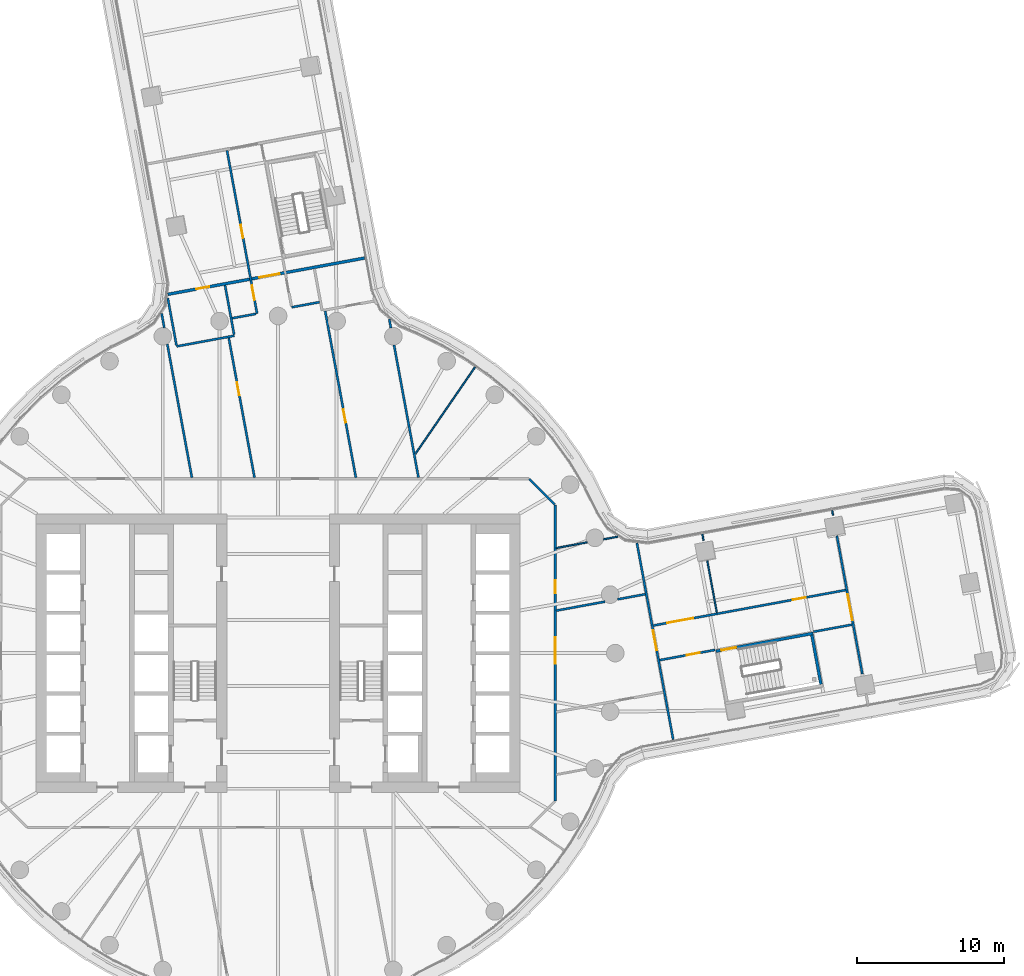
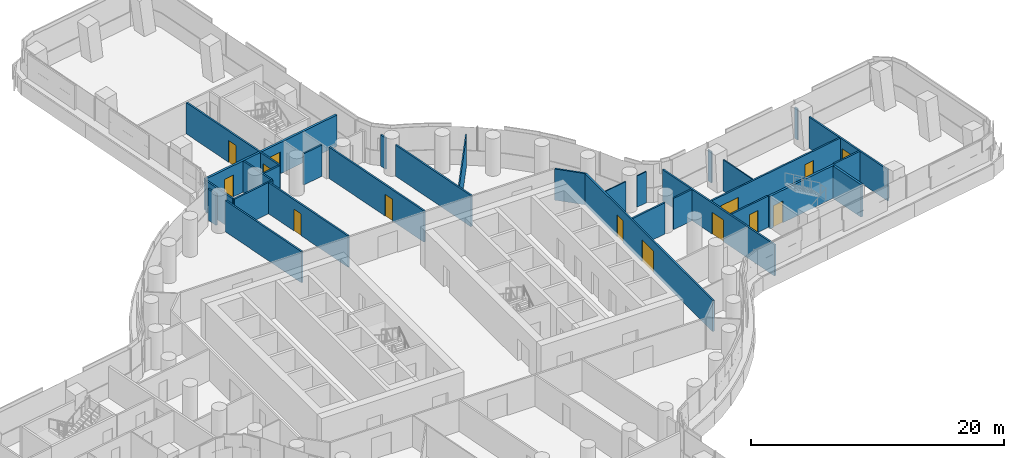
# One storey, part 23 of 33: 30 walls, 14 doors, 14 openings.
"""IFC4 building model written with IfcOpenShell, lengths in metres."""

from ifc_helpers import new_model, si_unit, direction, frame, frame_2d, origin, place, context, subcontext, project, spatial, polyline, rectangle, outline, extrude, material, layer, layer_set, type_object, element, fill, save


model = new_model("IFC4")

# Units and contexts
model_context = context("Model", 3, precision=1e-05, world=origin(), true_north=direction((0.0, 1.0)))
body_context = subcontext(model_context, "Body", "Model", "MODEL_VIEW")
ifc_project = project(units=[si_unit("LENGTHUNIT", "METRE"), si_unit("AREAUNIT", "SQUARE_METRE"), si_unit("VOLUMEUNIT", "CUBIC_METRE"), si_unit("PLANEANGLEUNIT", "RADIAN"), si_unit("MASSUNIT", "GRAM", prefix="KILO")], contexts=[model_context])

# Site, building, storey
site_placement = place(None, origin())
site = spatial("IfcSite", under=ifc_project, at=site_placement, CompositionType="ELEMENT")
building_placement = place(site_placement, origin())
building = spatial("IfcBuilding", under=site, at=building_placement, Name="Tamarind Cross Interchange Tower", CompositionType="ELEMENT")
storey_placement = place(building_placement, frame((0.0, 0.0, 71.5)))
storey = spatial("IfcBuildingStorey", under=building, at=storey_placement, Name="L16", CompositionType="ELEMENT", Elevation=71.5)

# Walls
ifc_material_1 = material(Name="Gypsum board partition on steel studs", Category="steel")
ifc_layer_1 = layer(ifc_material_1, 0.10009765625)
ifc_layer_set_1 = layer_set([ifc_layer_1], Name="Gypsum board partition on steel studs")
wall_type_1 = type_object("IfcWallType", Name="Partition 100 mm EI 90", PredefinedType="PARTITIONING", material=ifc_layer_set_1)
wall_1_placement = place(storey_placement, frame((28.943115234375, 8.1142578125, 0.0), z_axis=(0.0, 0.0, 1.0), x_axis=(0.181706497485, -0.983352809917, 0.0)))
element("IfcWall", 1, at=wall_1_placement, inside=storey, type_object=wall_type_1, Name="Partition L16-030", PredefinedType="PARTITIONING", context=body_context, shape_type="SweptSolid", body=[
    extrude(rectangle(XDim=0.43408203125, YDim=0.10009765625, at=frame_2d((0.217041015625, 0.0))), origin(), (0.0, 0.0, 1.0), 3.010009765625),
])
wall_2_placement = place(storey_placement, frame((29.278564453125, 6.296142578125, 0.0), z_axis=(0.0, 0.0, 1.0), x_axis=(0.181488912805, -0.983392990889, 0.0)))
element("IfcWall", 2, at=wall_2_placement, inside=storey, type_object=wall_type_1, Name="Partition L16-031", PredefinedType="PARTITIONING", context=body_context, shape_type="SweptSolid", body=[
    extrude(rectangle(XDim=3.59716796875, YDim=0.10009765625, at=frame_2d((1.798583984375, 0.0))), origin(), (0.0, 0.0, 1.0), 3.010009765625),
])
wall_3_placement = place(storey_placement, frame((37.796142578125, 9.735107421875, 0.0), z_axis=(0.0, 0.0, 1.0), x_axis=(0.181472778981, -0.98339596831, 0.0)))
element("IfcWall", 3, at=wall_3_placement, inside=storey, type_object=wall_type_1, Name="Partition L16-032", PredefinedType="PARTITIONING", context=body_context, shape_type="SweptSolid", body=[
    extrude(rectangle(XDim=0.34033203125, YDim=0.10009765625, at=frame_2d((0.170166015625, 0.0))), origin(), (0.0, 0.0, 1.0), 3.010009765625),
])
wall_4_placement = place(storey_placement, frame((18.96875, 7.168701171875, 0.0), z_axis=(0.0, 0.0, 1.0), x_axis=(0.983393076066, 0.181488451272, 0.0)))
element("IfcWall", 4, at=wall_4_placement, inside=storey, type_object=wall_type_1, Name="Partition L16-065", PredefinedType="PARTITIONING", context=body_context, shape_type="SweptSolid", body=[
    extrude(rectangle(XDim=2.153564453125, YDim=0.10009765625, at=frame_2d((1.07666015625, 0.0))), origin(), (0.0, 0.0, 1.0), 3.010009765625),
])
wall_5_placement = place(storey_placement, frame((22.195556640625, 7.76416015625, 0.0), z_axis=(0.0, 0.0, 1.0), x_axis=(0.983393015188, 0.181488781138, 0.0)))
element("IfcWall", 5, at=wall_5_placement, inside=storey, type_object=wall_type_1, Name="Partition L16-066", PredefinedType="PARTITIONING", context=body_context, shape_type="SweptSolid", body=[
    extrude(rectangle(XDim=0.989990234375, YDim=0.10009765625, at=frame_2d((0.4951171875, 0.0))), origin(), (0.0, 0.0, 1.0), 3.010009765625),
])
wall_6_placement = place(storey_placement, frame((9.371826171875, 13.610595703125, 0.0), z_axis=(0.0, 0.0, 1.0), x_axis=(0.567132866237, 0.823626318201, 0.0)))
element("IfcWall", 6, at=wall_6_placement, inside=storey, type_object=wall_type_1, Name="Partition L16-075", PredefinedType="PARTITIONING", context=body_context, shape_type="SweptSolid", body=[
    extrude(rectangle(XDim=7.151123046875, YDim=0.10009765625, at=frame_2d((3.57568359375, 0.0))), origin(), (0.0, 0.0, 1.0), 3.010009765625),
])
ifc_layer_2 = layer(ifc_material_1, 0.14990234375)
ifc_layer_set_2 = layer_set([ifc_layer_2], Name="Gypsum board partition on steel studs")
wall_type_2 = type_object("IfcWallType", Name="Partition 150 mm EI 120", PredefinedType="PARTITIONING", material=ifc_layer_set_2)
wall_7_placement = place(storey_placement, frame((-7.94384765625, 23.169189453125, 0.0), z_axis=(0.0, 0.0, 1.0), x_axis=(0.181250299278, -0.983436997988, 0.0)))
element("IfcWall", 7, at=wall_7_placement, inside=storey, type_object=wall_type_2, Name="Partition L16-010", PredefinedType="PARTITIONING", context=body_context, shape_type="SweptSolid", body=[
    extrude(rectangle(XDim=0.989990234375, YDim=0.14990234375, at=frame_2d((0.4951171875, 0.0))), origin(), (0.0, 0.0, 1.0), 3.010009765625),
])
wall_8_placement = place(storey_placement, frame((-7.559814453125, 21.086181640625, 0.0), z_axis=(0.0, 0.0, 1.0), x_axis=(0.181331997845, -0.983421937196, 0.0)))
element("IfcWall", 8, at=wall_8_placement, inside=storey, type_object=wall_type_2, Name="Partition L16-011", PredefinedType="PARTITIONING", context=body_context, shape_type="SweptSolid", body=[
    extrude(rectangle(XDim=9.271240234375, YDim=0.14990234375, at=frame_2d((4.6357421875, 0.0))), origin(), (0.0, 0.0, 1.0), 3.010009765625),
])
wall_9_placement = place(storey_placement, frame((-7.52587890625, 24.21337890625, 0.0), z_axis=(0.0, 0.0, 1.0), x_axis=(0.181327661457, -0.983422736767, 0.0)))
element("IfcWall", 9, at=wall_9_placement, inside=storey, type_object=wall_type_2, Name="Partition L16-012", PredefinedType="PARTITIONING", context=body_context, shape_type="SweptSolid", body=[
    extrude(rectangle(XDim=3.271728515625, YDim=0.14990234375, at=frame_2d((1.6357421875, 0.0))), origin(), (0.0, 0.0, 1.0), 3.010009765625),
])
wall_10_placement = place(storey_placement, frame((-3.620849609375, 25.0947265625, 0.0), z_axis=(0.0, 0.0, 1.0), x_axis=(0.181089958521, -0.983466535741, 0.0)))
element("IfcWall", 10, at=wall_10_placement, inside=storey, type_object=wall_type_2, Name="Partition L16-014", PredefinedType="PARTITIONING", context=body_context, shape_type="SweptSolid", body=[
    extrude(rectangle(XDim=3.4296875, YDim=0.14990234375, at=frame_2d((1.71484375, 0.0))), origin(), (0.0, 0.0, 1.0), 3.010009765625),
])

# Wall, openings, doors
wall_11_placement = place(storey_placement, frame((-3.4873046875, 34.296142578125, 0.0), z_axis=(0.0, 0.0, 1.0), x_axis=(0.181322644979, -0.983423661713, 0.0)))
wall_11 = element("IfcWall", 11, at=wall_11_placement, inside=storey, type_object=wall_type_2, Name="Partition L16-015", PredefinedType="PARTITIONING", context=body_context, shape_type="SweptSolid", body=[
    extrude(rectangle(XDim=11.324951171875, YDim=0.14990234375, at=frame_2d((5.66259765625, 0.0))), origin(), (0.0, 0.0, 1.0), 3.010009765625),
])
opening_1_placement = place(wall_11_placement, frame((9.375244140625, 0.0, 0.0)))
opening_1 = element("IfcOpeningElement", 12, at=opening_1_placement, cuts=wall_11, Name="Opening D04", PredefinedType="OPENING", context=body_context, shape_type="SweptSolid", body=[
    extrude(rectangle(XDim=1.0, YDim=2.10009765625, at=frame_2d((0.5, 1.050048828125))), frame((0.0, 0.0849609375, 0.0), z_axis=(0.0, -1.0, 0.0), x_axis=(1.0, 0.0, 0.0)), (0.0, 0.0, 1.0), 0.169921875),
])
opening_2_placement = place(wall_11_placement, frame((5.175048828125, 0.0, 0.0)))
opening_2 = element("IfcOpeningElement", 13, at=opening_2_placement, cuts=wall_11, Name="Opening D05", PredefinedType="OPENING", context=body_context, shape_type="SweptSolid", body=[
    extrude(rectangle(XDim=0.89990234375, YDim=2.10009765625, at=frame_2d((0.449951171875, 1.050048828125))), frame((0.0, 0.0849609375, 0.0), z_axis=(0.0, -1.0, 0.0), x_axis=(1.0, 0.0, 0.0)), (0.0, 0.0, 1.0), 0.169921875),
])
ifc_material_2 = material(Name="Fire-resisting door set")
door_type_1 = type_object("IfcDoorType", Name="Interior door 1000 x 2100 FD60S", OperationType="SINGLE_SWING_LEFT", PredefinedType="DOOR", material=ifc_material_2)
door_1_placement = place(opening_1_placement, frame((1.0, 0.0, 0.0), z_axis=(0.0, 0.0, 1.0), x_axis=(-1.0, 0.0, 0.0)))
door_1 = element("IfcDoor", 14, at=door_1_placement, inside=storey, type_object=door_type_1, Name="Door D04", OperationType="SINGLE_SWING_RIGHT", OverallHeight=2.10009765625, OverallWidth=1.0, PredefinedType="DOOR", context=body_context, shape_type="SweptSolid", body=[
    extrude(rectangle(XDim=1.0, YDim=2.10009765625, at=frame_2d((0.5, 1.050048828125))), frame((0.0, 0.02490234375, 0.0), z_axis=(0.0, -1.0, 0.0), x_axis=(1.0, 0.0, 0.0)), (0.0, 0.0, 1.0), 0.050048828125),
])
fill(opening_1, door_1)
door_type_2 = type_object("IfcDoorType", Name="Interior door 900 x 2100 FD60S", OperationType="SINGLE_SWING_LEFT", PredefinedType="DOOR", material=ifc_material_2)
door_2_placement = place(opening_2_placement, frame((0.89990234375, 0.0, 0.0), z_axis=(0.0, 0.0, 1.0), x_axis=(-1.0, 0.0, 0.0)))
door_2 = element("IfcDoor", 15, at=door_2_placement, inside=storey, type_object=door_type_2, Name="Door D05", OperationType="SINGLE_SWING_LEFT", OverallHeight=2.10009765625, OverallWidth=0.89990234375, PredefinedType="DOOR", context=body_context, shape_type="SweptSolid", body=[
    extrude(rectangle(XDim=0.89990234375, YDim=2.10009765625, at=frame_2d((0.449951171875, 1.050048828125))), frame((0.0, 0.02490234375, 0.0), z_axis=(0.0, -1.0, 0.0), x_axis=(1.0, 0.0, 0.0)), (0.0, 0.0, 1.0), 0.050048828125),
])
fill(opening_2, door_2)

# Wall, opening, door
wall_12_placement = place(storey_placement, frame((-3.366455078125, 21.506103515625, 0.0), z_axis=(0.0, 0.0, 1.0), x_axis=(0.181352722504, -0.983418115575, 0.0)))
wall_12 = element("IfcWall", 16, at=wall_12_placement, inside=storey, type_object=wall_type_2, Name="Partition L16-016", PredefinedType="PARTITIONING", context=body_context, shape_type="SweptSolid", body=[
    extrude(rectangle(XDim=9.6982421875, YDim=0.14990234375, at=frame_2d((4.84912109375, 0.0))), origin(), (0.0, 0.0, 1.0), 3.010009765625),
])
opening_3_placement = place(wall_12_placement, frame((3.074951171875, 0.0, 0.0)))
opening_3 = element("IfcOpeningElement", 17, at=opening_3_placement, cuts=wall_12, Name="Opening D06", PredefinedType="OPENING", context=body_context, shape_type="SweptSolid", body=[
    extrude(rectangle(XDim=0.89990234375, YDim=2.10009765625, at=frame_2d((0.449951171875, 1.050048828125))), frame((0.0, 0.0849609375, 0.0), z_axis=(0.0, -1.0, 0.0), x_axis=(1.0, 0.0, 0.0)), (0.0, 0.0, 1.0), 0.169921875),
])
door_3_placement = place(opening_3_placement, frame((0.89990234375, 0.0, 0.0), z_axis=(0.0, 0.0, 1.0), x_axis=(-1.0, 0.0, 0.0)))
door_3 = element("IfcDoor", 18, at=door_3_placement, inside=storey, type_object=door_type_2, Name="Door D06", OperationType="SINGLE_SWING_LEFT", OverallHeight=2.10009765625, OverallWidth=0.89990234375, PredefinedType="DOOR", context=body_context, shape_type="SweptSolid", body=[
    extrude(rectangle(XDim=0.89990234375, YDim=2.10009765625, at=frame_2d((0.449951171875, 1.050048828125))), frame((0.0, 0.02490234375, 0.0), z_axis=(0.0, -1.0, 0.0), x_axis=(1.0, 0.0, 0.0)), (0.0, 0.0, 1.0), 0.050048828125),
])
fill(opening_3, door_3)

wall_13_placement = place(storey_placement, frame((3.212646484375, 23.3291015625, 0.0), z_axis=(0.0, 0.0, 1.0), x_axis=(0.181332407235, -0.983421861709, 0.0)))
wall_13 = element("IfcWall", 19, at=wall_13_placement, inside=storey, type_object=wall_type_2, Name="Partition L16-024", PredefinedType="PARTITIONING", context=body_context, shape_type="SweptSolid", body=[
    extrude(rectangle(XDim=11.5517578125, YDim=0.14990234375, at=frame_2d((5.77587890625, 0.0))), origin(), (0.0, 0.0, 1.0), 3.010009765625),
])
opening_4_placement = place(wall_13_placement, frame((6.824951171875, 0.0, 0.0)))
opening_4 = element("IfcOpeningElement", 20, at=opening_4_placement, cuts=wall_13, Name="Opening D13", PredefinedType="OPENING", context=body_context, shape_type="SweptSolid", body=[
    extrude(rectangle(XDim=0.89990234375, YDim=2.10009765625, at=frame_2d((0.449951171875, 1.050048828125))), frame((0.0, 0.0849609375, 0.0), z_axis=(0.0, -1.0, 0.0), x_axis=(1.0, 0.0, 0.0)), (0.0, 0.0, 1.0), 0.169921875),
])
door_4_placement = place(opening_4_placement, origin())
door_4 = element("IfcDoor", 21, at=door_4_placement, inside=storey, type_object=door_type_2, Name="Door D13", OperationType="SINGLE_SWING_LEFT", OverallHeight=2.10009765625, OverallWidth=0.89990234375, PredefinedType="DOOR", context=body_context, shape_type="SweptSolid", body=[
    extrude(rectangle(XDim=0.89990234375, YDim=2.10009765625, at=frame_2d((0.449951171875, 1.050048828125))), frame((0.0, 0.02490234375, 0.0), z_axis=(0.0, -1.0, 0.0), x_axis=(1.0, 0.0, 0.0)), (0.0, 0.0, 1.0), 0.050048828125),
])
fill(opening_4, door_4)

# Walls
wall_14_placement = place(storey_placement, frame((7.583251953125, 22.78662109375, 0.0), z_axis=(0.0, 0.0, 1.0), x_axis=(0.181623677373, -0.983368110027, 0.0)))
element("IfcWall", 22, at=wall_14_placement, inside=storey, type_object=wall_type_2, Name="Partition L16-027", PredefinedType="PARTITIONING", context=body_context, shape_type="SweptSolid", body=[
    extrude(rectangle(XDim=0.61962890625, YDim=0.14990234375, at=frame_2d((0.309814453125, 0.0))), origin(), (0.0, 0.0, 1.0), 3.010009765625),
])
wall_15_placement = place(storey_placement, frame((7.91015625, 21.0146484375, 0.0), z_axis=(0.0, 0.0, 1.0), x_axis=(0.181358331946, -0.983417081117, 0.0)))
element("IfcWall", 23, at=wall_15_placement, inside=storey, type_object=wall_type_2, Name="Partition L16-028", PredefinedType="PARTITIONING", context=body_context, shape_type="SweptSolid", body=[
    extrude(rectangle(XDim=9.198486328125, YDim=0.14990234375, at=frame_2d((4.59912109375, 0.0))), origin(), (0.0, 0.0, 1.0), 3.010009765625),
])

# Wall, opening, door
wall_16_placement = place(storey_placement, frame((24.476318359375, 7.52392578125, 0.0), z_axis=(0.0, 0.0, 1.0), x_axis=(0.181354544685, -0.983417779543, 0.0)))
wall_16 = element("IfcWall", 24, at=wall_16_placement, inside=storey, type_object=wall_type_2, Name="Partition L16-029", PredefinedType="PARTITIONING", context=body_context, shape_type="SweptSolid", body=[
    extrude(rectangle(XDim=13.649169921875, YDim=0.14990234375, at=frame_2d((6.82470703125, 0.0))), origin(), (0.0, 0.0, 1.0), 3.010009765625),
])
opening_5_placement = place(wall_16_placement, frame((6.05029296875, 0.0, 0.0)))
opening_5 = element("IfcOpeningElement", 25, at=opening_5_placement, cuts=wall_16, Name="Opening D14", PredefinedType="OPENING", context=body_context, shape_type="SweptSolid", body=[
    extrude(rectangle(XDim=1.39990234375, YDim=2.10009765625, at=frame_2d((0.699951171875, 1.050048828125))), frame((0.0, 0.0849609375, 0.0), z_axis=(0.0, -1.0, 0.0), x_axis=(1.0, 0.0, 0.0)), (0.0, 0.0, 1.0), 0.169921875),
])
door_type_3 = type_object("IfcDoorType", Name="Interior door 1400 x 2100 FD60S", OperationType="DOUBLE_DOOR_SINGLE_SWING", PredefinedType="DOOR", material=ifc_material_2)
door_5_placement = place(opening_5_placement, frame((1.39990234375, 0.0, 0.0), z_axis=(0.0, 0.0, 1.0), x_axis=(-1.0, 0.0, 0.0)))
door_5 = element("IfcDoor", 26, at=door_5_placement, inside=storey, type_object=door_type_3, Name="Door D14", OperationType="DOUBLE_DOOR_SINGLE_SWING", OverallHeight=2.10009765625, OverallWidth=1.39990234375, PredefinedType="DOOR", context=body_context, shape_type="SweptSolid", body=[
    extrude(rectangle(XDim=1.39990234375, YDim=2.10009765625, at=frame_2d((0.699951171875, 1.050048828125))), frame((0.0, 0.02490234375, 0.0), z_axis=(0.0, -1.0, 0.0), x_axis=(1.0, 0.0, 0.0)), (0.0, 0.0, 1.0), 0.050048828125),
])
fill(opening_5, door_5)

wall_17_placement = place(storey_placement, frame((38.11474609375, 8.009033203125, 0.0), z_axis=(0.0, 0.0, 1.0), x_axis=(0.181474017758, -0.983395739709, 0.0)))
wall_17 = element("IfcWall", 27, at=wall_17_placement, inside=storey, type_object=wall_type_2, Name="Partition L16-033", PredefinedType="PARTITIONING", context=body_context, shape_type="SweptSolid", body=[
    extrude(rectangle(XDim=9.592041015625, YDim=0.14990234375, at=frame_2d((4.7958984375, 0.0))), origin(), (0.0, 0.0, 1.0), 3.010009765625),
])
opening_6_placement = place(wall_17_placement, frame((4.054443359375, 0.0, 0.0)))
opening_6 = element("IfcOpeningElement", 28, at=opening_6_placement, cuts=wall_17, Name="Opening D15", PredefinedType="OPENING", context=body_context, shape_type="SweptSolid", body=[
    extrude(rectangle(XDim=1.800048828125, YDim=2.10009765625, at=frame_2d((0.89990234375, 1.050048828125))), frame((0.0, 0.0849609375, 0.0), z_axis=(0.0, -1.0, 0.0), x_axis=(1.0, 0.0, 0.0)), (0.0, 0.0, 1.0), 0.169921875),
])
door_type_4 = type_object("IfcDoorType", Name="Interior door 1800 x 2100 FD60S", OperationType="DOUBLE_DOOR_SINGLE_SWING", PredefinedType="DOOR", material=ifc_material_2)
door_6_placement = place(opening_6_placement, origin())
door_6 = element("IfcDoor", 29, at=door_6_placement, inside=storey, type_object=door_type_4, Name="Door D15", OperationType="DOUBLE_DOOR_SINGLE_SWING", OverallHeight=2.10009765625, OverallWidth=1.800048828125, PredefinedType="DOOR", context=body_context, shape_type="SweptSolid", body=[
    extrude(rectangle(XDim=1.800048828125, YDim=2.10009765625, at=frame_2d((0.89990234375, 1.050048828125))), frame((0.0, 0.02490234375, 0.0), z_axis=(0.0, -1.0, 0.0), x_axis=(1.0, 0.0, 0.0)), (0.0, 0.0, 1.0), 0.050048828125),
])
fill(opening_6, door_6)

# Walls
wall_18_placement = place(storey_placement, frame((17.12841796875, 11.87158203125, 0.0), z_axis=(0.0, 0.0, 1.0), x_axis=(0.707106781187, -0.707106781187, 0.0)))
element("IfcWall", 30, at=wall_18_placement, inside=storey, type_object=wall_type_2, Name="Partition L16-036", PredefinedType="PARTITIONING", context=body_context, shape_type="SweptSolid", body=[
    extrude(rectangle(XDim=2.465087890625, YDim=0.14990234375, at=frame_2d((1.232421875, 0.0))), origin(), (0.0, 0.0, 1.0), 3.010009765625),
])
wall_19_placement = place(storey_placement, frame((-6.919921875, 20.927001953125, 0.0), z_axis=(0.0, 0.0, 1.0), x_axis=(0.983405644941, 0.181420333753, 0.0)))
element("IfcWall", 31, at=wall_19_placement, inside=storey, type_object=wall_type_2, Name="Partition L16-053", PredefinedType="PARTITIONING", context=body_context, shape_type="SweptSolid", body=[
    extrude(rectangle(XDim=3.99951171875, YDim=0.14990234375, at=frame_2d((1.999755859375, 0.0))), origin(), (0.0, 0.0, 1.0), 3.010009765625),
])
wall_20_placement = place(storey_placement, frame((-3.130126953125, 22.8466796875, 0.0), z_axis=(0.0, 0.0, 1.0), x_axis=(0.983478081635, 0.181027243649, 0.0)))
element("IfcWall", 32, at=wall_20_placement, inside=storey, type_object=wall_type_2, Name="Partition L16-057", PredefinedType="PARTITIONING", context=body_context, shape_type="SweptSolid", body=[
    extrude(rectangle(XDim=1.65478515625, YDim=0.14990234375, at=frame_2d((0.827392578125, 0.0))), origin(), (0.0, 0.0, 1.0), 3.010009765625),
])
wall_21_placement = place(storey_placement, frame((0.926025390625, 23.59375, 0.0), z_axis=(0.0, 0.0, 1.0), x_axis=(0.983465672587, 0.181094646093, 0.0)))
element("IfcWall", 33, at=wall_21_placement, inside=storey, type_object=wall_type_2, Name="Partition L16-058", PredefinedType="PARTITIONING", context=body_context, shape_type="SweptSolid", body=[
    extrude(rectangle(XDim=1.925048828125, YDim=0.14990234375, at=frame_2d((0.96240234375, 0.0))), origin(), (0.0, 0.0, 1.0), 3.010009765625),
])
wall_22_placement = place(storey_placement, frame((18.96875, 2.898681640625, 0.0), z_axis=(0.0, 0.0, 1.0), x_axis=(0.983420380574, 0.181340439705, 0.0)))
element("IfcWall", 34, at=wall_22_placement, inside=storey, type_object=wall_type_2, Name="Partition L16-063", PredefinedType="PARTITIONING", context=body_context, shape_type="SweptSolid", body=[
    extrude(rectangle(XDim=3.385986328125, YDim=0.14990234375, at=frame_2d((1.69287109375, 0.0))), origin(), (0.0, 0.0, 1.0), 3.010009765625),
])
wall_23_placement = place(storey_placement, frame((23.161865234375, 3.671875, 0.0), z_axis=(0.0, 0.0, 1.0), x_axis=(0.983424500457, 0.181318095899, 0.0)))
element("IfcWall", 35, at=wall_23_placement, inside=storey, type_object=wall_type_2, Name="Partition L16-064", PredefinedType="PARTITIONING", context=body_context, shape_type="SweptSolid", body=[
    extrude(rectangle(XDim=1.916015625, YDim=0.14990234375, at=frame_2d((0.9580078125, 0.0))), origin(), (0.0, 0.0, 1.0), 3.010009765625),
])

# Wall, openings, doors
wall_24_placement = place(storey_placement, frame((25.59765625, 1.883544921875, 0.0), z_axis=(0.0, 0.0, 1.0), x_axis=(0.983423155577, 0.181325390046, 0.0)))
wall_24 = element("IfcWall", 36, at=wall_24_placement, inside=storey, type_object=wall_type_2, Name="Partition L16-069", PredefinedType="PARTITIONING", context=body_context, shape_type="SweptSolid", body=[
    extrude(rectangle(XDim=13.345703125, YDim=0.14990234375, at=frame_2d((6.6728515625, 0.0))), origin(), (0.0, 0.0, 1.0), 3.010009765625),
])
opening_7_placement = place(wall_24_placement, frame((9.670654296875, 0.0, 0.0)))
opening_7 = element("IfcOpeningElement", 37, at=opening_7_placement, cuts=wall_24, Name="Opening D34", PredefinedType="OPENING", context=body_context, shape_type="SweptSolid", body=[
    extrude(rectangle(XDim=0.89990234375, YDim=2.10009765625, at=frame_2d((0.449951171875, 1.050048828125))), frame((0.0, 0.0849609375, 0.0), z_axis=(0.0, -1.0, 0.0), x_axis=(1.0, 0.0, 0.0)), (0.0, 0.0, 1.0), 0.169921875),
])
opening_8_placement = place(wall_24_placement, frame((0.969970703125, 0.0, 0.0)))
opening_8 = element("IfcOpeningElement", 38, at=opening_8_placement, cuts=wall_24, Name="Opening D35", PredefinedType="OPENING", context=body_context, shape_type="SweptSolid", body=[
    extrude(rectangle(XDim=1.800048828125, YDim=2.10009765625, at=frame_2d((0.89990234375, 1.050048828125))), frame((0.0, 0.0849609375, 0.0), z_axis=(0.0, -1.0, 0.0), x_axis=(1.0, 0.0, 0.0)), (0.0, 0.0, 1.0), 0.169921875),
])
door_7_placement = place(opening_8_placement, origin())
door_7 = element("IfcDoor", 39, at=door_7_placement, inside=storey, type_object=door_type_4, Name="Door D35", OperationType="DOUBLE_DOOR_SINGLE_SWING", OverallHeight=2.10009765625, OverallWidth=1.800048828125, PredefinedType="DOOR", context=body_context, shape_type="SweptSolid", body=[
    extrude(rectangle(XDim=1.800048828125, YDim=2.10009765625, at=frame_2d((0.89990234375, 1.050048828125))), frame((0.0, 0.02490234375, 0.0), z_axis=(0.0, -1.0, 0.0), x_axis=(1.0, 0.0, 0.0)), (0.0, 0.0, 1.0), 0.050048828125),
])
fill(opening_8, door_7)
door_8_placement = place(opening_7_placement, origin())
door_8 = element("IfcDoor", 40, at=door_8_placement, inside=storey, type_object=door_type_2, Name="Door D34", OperationType="SINGLE_SWING_LEFT", OverallHeight=2.10009765625, OverallWidth=0.89990234375, PredefinedType="DOOR", context=body_context, shape_type="SweptSolid", body=[
    extrude(rectangle(XDim=0.89990234375, YDim=2.10009765625, at=frame_2d((0.449951171875, 1.050048828125))), frame((0.0, 0.02490234375, 0.0), z_axis=(0.0, -1.0, 0.0), x_axis=(1.0, 0.0, 0.0)), (0.0, 0.0, 1.0), 0.050048828125),
])
fill(opening_7, door_8)

# Wall, opening, door
wall_25_placement = place(storey_placement, frame((26.02880859375, -0.477294921875, 0.0), z_axis=(0.0, 0.0, 1.0), x_axis=(0.983410041691, 0.181396499144, 0.0)))
wall_25 = element("IfcWall", 41, at=wall_25_placement, inside=storey, type_object=wall_type_2, Name="Partition L16-070", PredefinedType="PARTITIONING", context=body_context, shape_type="SweptSolid", body=[
    extrude(rectangle(XDim=3.849365234375, YDim=0.14990234375, at=frame_2d((1.9248046875, 0.0))), origin(), (0.0, 0.0, 1.0), 3.010009765625),
])
opening_9_placement = place(wall_25_placement, frame((1.875, 0.0, 0.0)))
opening_9 = element("IfcOpeningElement", 42, at=opening_9_placement, cuts=wall_25, Name="Opening D36", PredefinedType="OPENING", context=body_context, shape_type="SweptSolid", body=[
    extrude(rectangle(XDim=0.89990234375, YDim=2.10009765625, at=frame_2d((0.449951171875, 1.050048828125))), frame((0.0, 0.0849609375, 0.0), z_axis=(0.0, -1.0, 0.0), x_axis=(1.0, 0.0, 0.0)), (0.0, 0.0, 1.0), 0.169921875),
])
door_9_placement = place(opening_9_placement, frame((0.89990234375, 0.0, 0.0), z_axis=(0.0, 0.0, 1.0), x_axis=(-1.0, 0.0, 0.0)))
door_9 = element("IfcDoor", 43, at=door_9_placement, inside=storey, type_object=door_type_2, Name="Door D36", OperationType="SINGLE_SWING_RIGHT", OverallHeight=2.10009765625, OverallWidth=0.89990234375, PredefinedType="DOOR", context=body_context, shape_type="SweptSolid", body=[
    extrude(rectangle(XDim=0.89990234375, YDim=2.10009765625, at=frame_2d((0.449951171875, 1.050048828125))), frame((0.0, 0.02490234375, 0.0), z_axis=(0.0, -1.0, 0.0), x_axis=(1.0, 0.0, 0.0)), (0.0, 0.0, 1.0), 0.050048828125),
])
fill(opening_9, door_9)

# Wall
wall_26_placement = place(storey_placement, frame((36.51611328125, 1.45751953125, 0.0), z_axis=(0.0, 0.0, 1.0), x_axis=(0.983414376978, 0.181372994552, 0.0)))
element("IfcWall", 44, at=wall_26_placement, inside=storey, type_object=wall_type_2, Name="Partition L16-071", PredefinedType="PARTITIONING", context=body_context, shape_type="SweptSolid", body=[
    extrude(rectangle(XDim=2.685302734375, YDim=0.14990234375, at=frame_2d((1.3427734375, 0.0))), origin(), (0.0, 0.0, 1.0), 3.010009765625),
])

# Wall, openings, doors
wall_27_placement = place(storey_placement, frame((18.89990234375, -10.10009765625, 0.0), z_axis=(0.0, 0.0, 1.0), x_axis=(0.0, 1.0, 0.0)))
wall_27 = element("IfcWall", 45, at=wall_27_placement, inside=storey, type_object=wall_type_2, Name="Partition L16-077", PredefinedType="PARTITIONING", context=body_context, shape_type="SweptSolid", body=[
    extrude(rectangle(XDim=20.2001953125, YDim=0.14990234375, at=frame_2d((10.10009765625, 0.0))), origin(), (0.0, 0.0, 1.0), 3.010009765625),
])
opening_10_placement = place(wall_27_placement, frame((9.37109375, 0.0, 0.0)))
opening_10 = element("IfcOpeningElement", 46, at=opening_10_placement, cuts=wall_27, Name="Opening D39", PredefinedType="OPENING", context=body_context, shape_type="SweptSolid", body=[
    extrude(rectangle(XDim=1.800048828125, YDim=2.10009765625, at=frame_2d((0.89990234375, 1.050048828125))), frame((0.0, 0.0849609375, 0.0), z_axis=(0.0, -1.0, 0.0), x_axis=(1.0, 0.0, 0.0)), (0.0, 0.0, 1.0), 0.169921875),
])
opening_11_placement = place(wall_27_placement, frame((14.18603515625, 0.0, 0.0)))
opening_11 = element("IfcOpeningElement", 47, at=opening_11_placement, cuts=wall_27, Name="Opening D40", PredefinedType="OPENING", context=body_context, shape_type="SweptSolid", body=[
    extrude(rectangle(XDim=0.89990234375, YDim=2.10009765625, at=frame_2d((0.449951171875, 1.050048828125))), frame((0.0, 0.0849609375, 0.0), z_axis=(0.0, -1.0, 0.0), x_axis=(1.0, 0.0, 0.0)), (0.0, 0.0, 1.0), 0.169921875),
])
door_10_placement = place(opening_10_placement, origin())
door_10 = element("IfcDoor", 48, at=door_10_placement, inside=storey, type_object=door_type_4, Name="Door D39", OperationType="DOUBLE_DOOR_SINGLE_SWING", OverallHeight=2.10009765625, OverallWidth=1.800048828125, PredefinedType="DOOR", context=body_context, shape_type="SweptSolid", body=[
    extrude(rectangle(XDim=1.800048828125, YDim=2.10009765625, at=frame_2d((0.89990234375, 1.050048828125))), frame((0.0, 0.02490234375, 0.0), z_axis=(0.0, -1.0, 0.0), x_axis=(1.0, 0.0, 0.0)), (0.0, 0.0, 1.0), 0.050048828125),
])
fill(opening_10, door_10)
door_11_placement = place(opening_11_placement, frame((0.89990234375, 0.0, 0.0), z_axis=(0.0, 0.0, 1.0), x_axis=(-1.0, 0.0, 0.0)))
door_11 = element("IfcDoor", 49, at=door_11_placement, inside=storey, type_object=door_type_2, Name="Door D40", OperationType="SINGLE_SWING_RIGHT", OverallHeight=2.10009765625, OverallWidth=0.89990234375, PredefinedType="DOOR", context=body_context, shape_type="SweptSolid", body=[
    extrude(rectangle(XDim=0.89990234375, YDim=2.10009765625, at=frame_2d((0.449951171875, 1.050048828125))), frame((0.0, 0.02490234375, 0.0), z_axis=(0.0, -1.0, 0.0), x_axis=(1.0, 0.0, 0.0)), (0.0, 0.0, 1.0), 0.050048828125),
])
fill(opening_11, door_11)

ifc_layer_3 = layer(ifc_material_1, 0.199951171875)
ifc_layer_set_3 = layer_set([ifc_layer_3], Name="Gypsum board partition on steel studs")
wall_type_3 = type_object("IfcWallType", Name="Partition 200 mm EI 180", PredefinedType="PARTITIONING", material=ifc_layer_set_3)
wall_28_placement = place(storey_placement, frame((-7.52392578125, 24.476318359375, 0.0), z_axis=(0.0, 0.0, 1.0), x_axis=(0.983401236808, 0.181444226817, 0.0)))
wall_28 = element("IfcWall", 50, at=wall_28_placement, inside=storey, type_object=wall_type_3, Name="Partition L16-052", PredefinedType="PARTITIONING", context=body_context, shape_type="SweptSolid", body=[
    extrude(rectangle(XDim=13.649169921875, YDim=0.199951171875, at=frame_2d((6.82470703125, 0.0))), origin(), (0.0, 0.0, 1.0), 3.010009765625),
])
opening_12_placement = place(wall_28_placement, frame((6.350341796875, 0.0, 0.0)))
opening_12 = element("IfcOpeningElement", 51, at=opening_12_placement, cuts=wall_28, Name="Opening D28", PredefinedType="OPENING", context=body_context, shape_type="SweptSolid", body=[
    extrude(rectangle(XDim=1.39990234375, YDim=2.10009765625, at=frame_2d((0.699951171875, 1.050048828125))), frame((0.0, 0.10986328125, 0.0), z_axis=(0.0, -1.0, 0.0), x_axis=(1.0, 0.0, 0.0)), (0.0, 0.0, 1.0), 0.219970703125),
])
opening_13_placement = place(wall_28_placement, frame((1.98046875, 0.0, 0.0)))
opening_13 = element("IfcOpeningElement", 52, at=opening_13_placement, cuts=wall_28, Name="Opening D29", PredefinedType="OPENING", context=body_context, shape_type="SweptSolid", body=[
    extrude(rectangle(XDim=0.89990234375, YDim=2.10009765625, at=frame_2d((0.449951171875, 1.050048828125))), frame((0.0, 0.10986328125, 0.0), z_axis=(0.0, -1.0, 0.0), x_axis=(1.0, 0.0, 0.0)), (0.0, 0.0, 1.0), 0.219970703125),
])
door_type_5 = type_object("IfcDoorType", Name="Interior door 1400 x 2100 FD120S", OperationType="DOUBLE_DOOR_SINGLE_SWING", PredefinedType="DOOR", material=ifc_material_2)
door_12_placement = place(opening_12_placement, frame((1.39990234375, 0.0, 0.0), z_axis=(0.0, 0.0, 1.0), x_axis=(-1.0, 0.0, 0.0)))
door_12 = element("IfcDoor", 53, at=door_12_placement, inside=storey, type_object=door_type_5, Name="Door D28", OperationType="DOUBLE_DOOR_SINGLE_SWING", OverallHeight=2.10009765625, OverallWidth=1.39990234375, PredefinedType="DOOR", context=body_context, shape_type="SweptSolid", body=[
    extrude(rectangle(XDim=1.39990234375, YDim=2.10009765625, at=frame_2d((0.699951171875, 1.050048828125))), frame((0.0, 0.02490234375, 0.0), z_axis=(0.0, -1.0, 0.0), x_axis=(1.0, 0.0, 0.0)), (0.0, 0.0, 1.0), 0.050048828125),
])
fill(opening_12, door_12)
door_type_6 = type_object("IfcDoorType", Name="Interior door 900 x 2100 FD120S", OperationType="SINGLE_SWING_LEFT", PredefinedType="DOOR", material=ifc_material_2)
door_13_placement = place(opening_13_placement, frame((0.89990234375, 0.0, 0.0), z_axis=(0.0, 0.0, 1.0), x_axis=(-1.0, 0.0, 0.0)))
door_13 = element("IfcDoor", 54, at=door_13_placement, inside=storey, type_object=door_type_6, Name="Door D29", OperationType="SINGLE_SWING_LEFT", OverallHeight=2.10009765625, OverallWidth=0.89990234375, PredefinedType="DOOR", context=body_context, shape_type="SweptSolid", body=[
    extrude(rectangle(XDim=0.89990234375, YDim=2.10009765625, at=frame_2d((0.449951171875, 1.050048828125))), frame((0.0, 0.02490234375, 0.0), z_axis=(0.0, -1.0, 0.0), x_axis=(1.0, 0.0, 0.0)), (0.0, 0.0, 1.0), 0.050048828125),
])
fill(opening_13, door_13)

# Wall, opening, door
ifc_material_3 = material(Name="Concrete C40", Category="concrete")
ifc_layer_4 = layer(ifc_material_3, 0.199951171875)
ifc_layer_set_4 = layer_set([ifc_layer_4], Name="Concrete C40")
wall_type_4 = type_object("IfcWallType", Name="Stair shaft wall 200 mm Concrete C40", PredefinedType="SHEAR", material=ifc_layer_set_4)
wall_29_placement = place(storey_placement, frame((29.871826171875, 0.129638671875, -0.139892578125), z_axis=(0.0, 0.0, 1.0), x_axis=(0.983418500329, 0.181350636091, 0.0)))
wall_29 = element("IfcWall", 55, at=wall_29_placement, inside=storey, type_object=wall_type_4, Name="Core wall CWL-L16-ST3-H", PredefinedType="SHEAR", context=body_context, shape_type="SweptSolid", body=[
    extrude(rectangle(XDim=6.735107421875, YDim=0.199951171875, at=frame_2d((3.36767578125, 0.0))), origin(), (0.0, 0.0, 1.0), 3.14990234375),
])
opening_14_placement = place(wall_29_placement, frame((0.38525390625, 0.0, 0.0)))
opening_14 = element("IfcOpeningElement", 56, at=opening_14_placement, cuts=wall_29, Name="Opening ST3L16", PredefinedType="OPENING", context=body_context, shape_type="SweptSolid", body=[
    extrude(rectangle(XDim=1.0, YDim=2.10009765625, at=frame_2d((0.5, 1.050048828125))), frame((0.0, 0.10986328125, 0.0), z_axis=(0.0, -1.0, 0.0), x_axis=(1.0, 0.0, 0.0)), (0.0, 0.0, 1.0), 0.219970703125),
])
ifc_material_4 = material(Name="Steel, fire-resisting", Category="steel")
door_type_7 = type_object("IfcDoorType", Name="Core fire door 1000 x 2100 FD90", OperationType="SINGLE_SWING_LEFT", PredefinedType="DOOR", material=ifc_material_4)
door_14_placement = place(opening_14_placement, origin())
door_14 = element("IfcDoor", 57, at=door_14_placement, inside=storey, type_object=door_type_7, Name="L16 stair door ST3", OperationType="SINGLE_SWING_LEFT", OverallHeight=2.10009765625, OverallWidth=1.0, PredefinedType="DOOR", context=body_context, shape_type="SweptSolid", body=[
    extrude(rectangle(XDim=1.0, YDim=2.10009765625, at=frame_2d((0.5, 1.050048828125))), frame((0.0, 0.02490234375, 0.0), z_axis=(0.0, -1.0, 0.0), x_axis=(1.0, 0.0, 0.0)), (0.0, 0.0, 1.0), 0.050048828125),
])
fill(opening_14, door_14)

# Wall
wall_30_placement = place(storey_placement, frame((0.0, 0.0, -0.139892578125)))
element("IfcWall", 58, at=wall_30_placement, inside=storey, type_object=wall_type_4, Name="Core wall CWL-L16-ST3-CF", PredefinedType="SHEAR", context=body_context, shape_type="SweptSolid", body=[
    extrude(outline(polyline([(36.935302734375, -2.136962890625), (37.1318359375, -2.100830078125), (36.513427734375, 1.252685546875), (36.31689453125, 1.21630859375), (36.935302734375, -2.136962890625)])), origin(), (0.0, 0.0, 1.0), 3.14990234375),
])

save(model, "model.ifc")
